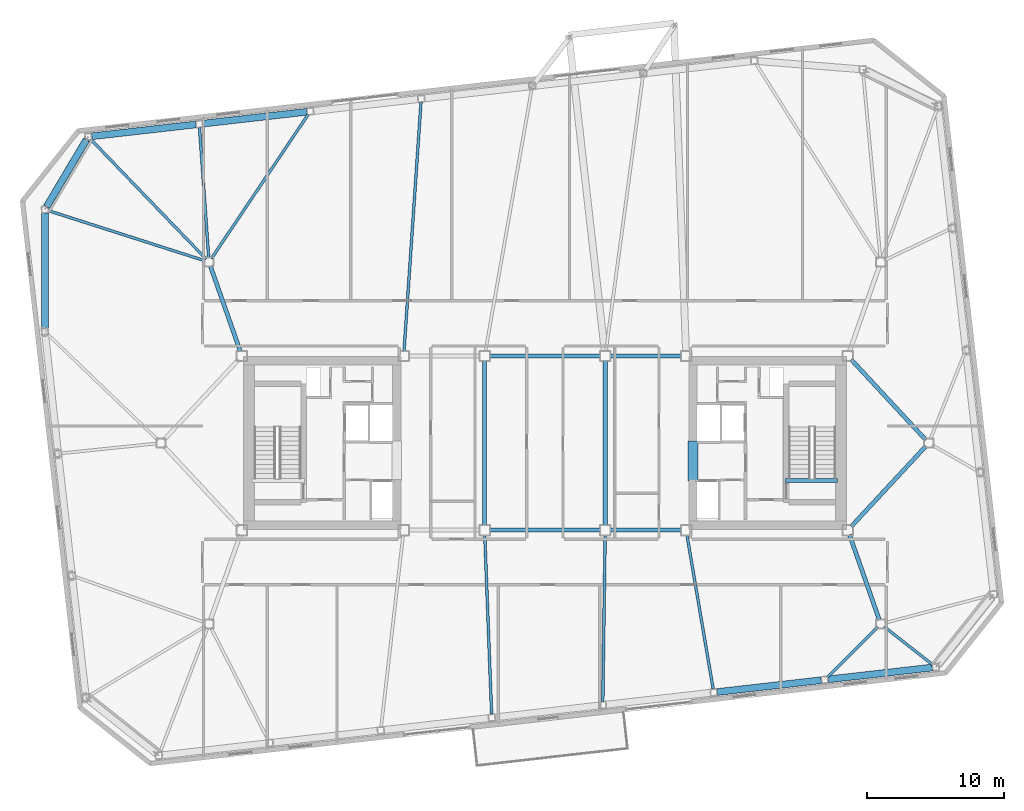
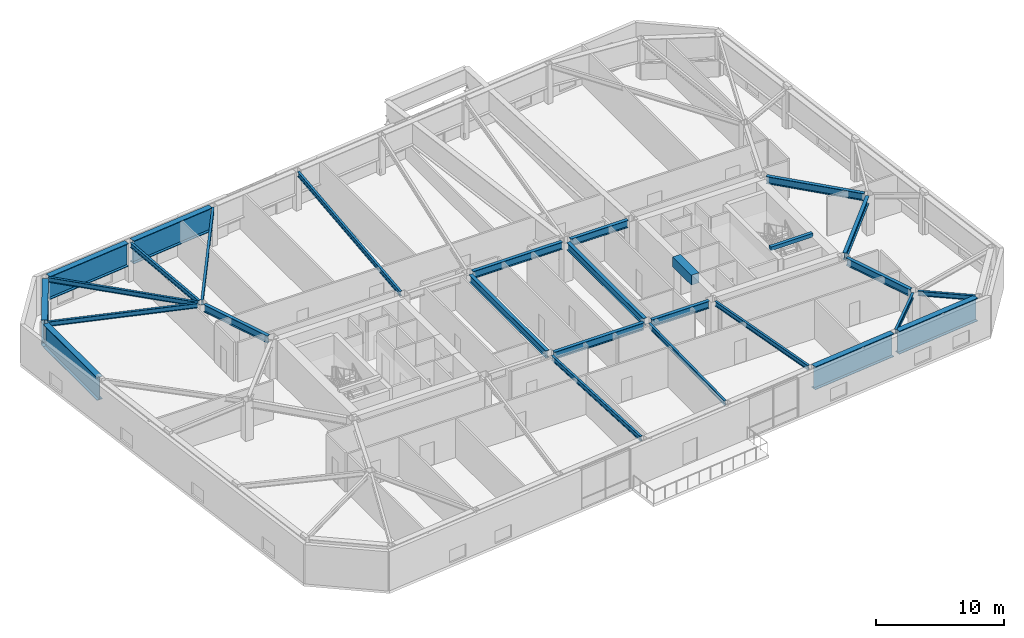
# One storey, part 7 of 20: 28 beams, 1 member.
"""IFC4 building model written with IfcOpenShell, lengths in metres."""

from ifc_helpers import new_model, si_unit, direction, frame, origin, origin_2d, place, context, subcontext, project, spatial, rectangle, hollow_circle, i_section, extrude, material, material_profile, profile_set, type_object, element, save


model = new_model("IFC4")

# Units and contexts
model_context = context("Model", 3, precision=1e-05, world=origin(), true_north=direction((0.0, 1.0)))
body_context = subcontext(model_context, "Body", "Model", "MODEL_VIEW")
ifc_project = project(units=[si_unit("LENGTHUNIT", "METRE"), si_unit("AREAUNIT", "SQUARE_METRE"), si_unit("VOLUMEUNIT", "CUBIC_METRE"), si_unit("PLANEANGLEUNIT", "RADIAN"), si_unit("MASSUNIT", "GRAM", prefix="KILO")], contexts=[model_context])

# Site, building, storey
site_placement = place(None, origin())
site = spatial("IfcSite", under=ifc_project, at=site_placement, CompositionType="ELEMENT")
building_placement = place(site_placement, origin())
building = spatial("IfcBuilding", under=site, at=building_placement, Name="Tavrogorsk Clinical Tower", CompositionType="ELEMENT")
storey_placement = place(building_placement, frame((0.0, 0.0, 234.199951171875)))
storey = spatial("IfcBuildingStorey", under=building, at=storey_placement, Name="L54", CompositionType="ELEMENT", Elevation=234.199951171875)

# Beam
ifc_material_1 = material(Name="Concrete B80", Category="concrete")
ifc_material_profile_1 = material_profile(ifc_material_1, rectangle(XDim=0.699951171875, YDim=0.949951171875, at=origin_2d()), Name="RC-CB-700x950")
ifc_profile_set_1 = profile_set([ifc_material_profile_1], Name="Concrete B80")
beam_type_1 = type_object("IfcBeamType", Name="CouplingBeam_RC700x950", PredefinedType="LINTEL", material=ifc_profile_set_1)
beam_1_placement = place(storey_placement, frame((10.800048828125, -2.75, 3.26513671875), z_axis=(0.0, 1.0, 0.0), x_axis=(-1.0, 0.0, 0.0)))
element("IfcBeam", 1, at=beam_1_placement, inside=storey, type_object=beam_type_1, Name="L54 Core East Coupling Beam", PredefinedType="LINTEL", context=body_context, shape_type="SweptSolid", body=[
    extrude(rectangle(XDim=0.699951171875, YDim=0.949951171875, at=origin_2d()), origin(), (0.0, 0.0, 1.0), 2.89990234375),
])

# Member
ifc_material_2 = material(Name="Structural steel S440", Category="steel")
ifc_material_profile_2 = material_profile(ifc_material_2, hollow_circle(Radius=0.25390625, WallThickness=0.02001953125, at=origin_2d()), Name="CHS-508x20")
ifc_profile_set_2 = profile_set([ifc_material_profile_2], Name="Structural steel S440")
member_type = type_object("IfcMemberType", Name="ExoBrace_CHS508", PredefinedType="BRACE", material=ifc_profile_set_2)
member_placement = place(storey_placement, frame((-33.438232421875, 22.127685546875, 0.348876953125), z_axis=(-0.502156936652, -0.843870359768, 0.1890006002), x_axis=(0.859358604134, -0.511373434489, 0.0)))
element("IfcMember", 2, at=member_placement, inside=storey, type_object=member_type, Name="L54 Corner Exoskeleton Brace N8-W1", PredefinedType="BRACE", context=body_context, shape_type="SweptSolid", body=[
    extrude(hollow_circle(Radius=0.25390625, WallThickness=0.02001953125, at=origin_2d()), origin(), (0.0, 0.0, 1.0), 5.779296875),
])

# Beams
ifc_material_3 = material(Name="Structural steel S355", Category="steel")
ifc_material_profile_3 = material_profile(ifc_material_3, i_section(OverallWidth=0.199951171875, OverallDepth=0.449951171875, WebThickness=0.011474609375, FlangeThickness=0.01806640625, at=origin_2d()), Name="B-450x200x11.5x18")
ifc_profile_set_3 = profile_set([ifc_material_profile_3], Name="Structural steel S355")
beam_type_2 = type_object("IfcBeamType", Name="FloorBeam_B450", PredefinedType="BEAM", material=ifc_profile_set_3)
beam_2_placement = place(storey_placement, frame((-4.38623046875, -6.709716796875, 3.51513671875), z_axis=(0.038253158264, -0.999268080088, 0.0), x_axis=(0.999268080088, 0.038253158264, 0.0)))
element("IfcBeam", 3, at=beam_2_placement, inside=storey, type_object=beam_type_2, Name="L54 Radial Floor Beam S4", PredefinedType="BEAM", context=body_context, shape_type="SweptSolid", body=[
    extrude(i_section(OverallWidth=0.199951171875, OverallDepth=0.449951171875, WebThickness=0.011474609375, FlangeThickness=0.01806640625, at=origin_2d()), origin(), (0.0, 0.0, 1.0), 13.0771484375),
])
beam_3_placement = place(storey_placement, frame((4.39501953125, -6.7099609375, 3.51513671875), z_axis=(-0.014110566079, -0.999900441006, 0.0), x_axis=(0.999900441006, -0.014110566079, 0.0)))
element("IfcBeam", 4, at=beam_3_placement, inside=storey, type_object=beam_type_2, Name="L54 Radial Floor Beam S5", PredefinedType="BEAM", context=body_context, shape_type="SweptSolid", body=[
    extrude(i_section(OverallWidth=0.199951171875, OverallDepth=0.449951171875, WebThickness=0.011474609375, FlangeThickness=0.01806640625, at=origin_2d()), origin(), (0.0, 0.0, 1.0), 12.14599609375),
])
beam_4_placement = place(storey_placement, frame((10.3603515625, -6.704833984375, 3.51513671875), z_axis=(0.167876447446, -0.98580804338, 0.0), x_axis=(0.98580804338, 0.167876447446, 0.0)))
element("IfcBeam", 5, at=beam_4_placement, inside=storey, type_object=beam_type_2, Name="L54 Radial Floor Beam S6", PredefinedType="BEAM", context=body_context, shape_type="SweptSolid", body=[
    extrude(i_section(OverallWidth=0.199951171875, OverallDepth=0.449951171875, WebThickness=0.011474609375, FlangeThickness=0.01806640625, at=origin_2d()), origin(), (0.0, 0.0, 1.0), 11.392822265625),
])
beam_5_placement = place(storey_placement, frame((24.2802734375, -13.418701171875, 3.51513671875), z_axis=(-0.708842234901, -0.705367057652, 0.0), x_axis=(0.705367057652, -0.708842234901, 0.0)))
element("IfcBeam", 6, at=beam_5_placement, inside=storey, type_object=beam_type_2, Name="L54 Radial Floor Beam S7", PredefinedType="BEAM", context=body_context, shape_type="SweptSolid", body=[
    extrude(i_section(OverallWidth=0.199951171875, OverallDepth=0.449951171875, WebThickness=0.011474609375, FlangeThickness=0.01806640625, at=origin_2d()), origin(), (0.0, 0.0, 1.0), 5.19873046875),
])
beam_6_placement = place(storey_placement, frame((24.743896484375, -13.391357421875, 3.51513671875), z_axis=(0.786731711527, -0.617295078611, 0.0), x_axis=(0.617295078611, 0.786731711527, 0.0)))
element("IfcBeam", 7, at=beam_6_placement, inside=storey, type_object=beam_type_2, Name="L54 Radial Floor Beam S8", PredefinedType="BEAM", context=body_context, shape_type="SweptSolid", body=[
    extrude(i_section(OverallWidth=0.199951171875, OverallDepth=0.449951171875, WebThickness=0.011474609375, FlangeThickness=0.01806640625, at=origin_2d()), origin(), (0.0, 0.0, 1.0), 4.52734375),
])
beam_7_placement = place(storey_placement, frame((-10.275390625, 6.709228515625, 3.51513671875), z_axis=(0.068054861188, 0.9976815804, 0.0), x_axis=(-0.9976815804, 0.068054861188, 0.0)))
element("IfcBeam", 8, at=beam_7_placement, inside=storey, type_object=beam_type_2, Name="L54 Radial Floor Beam N5", PredefinedType="BEAM", context=body_context, shape_type="SweptSolid", body=[
    extrude(i_section(OverallWidth=0.199951171875, OverallDepth=0.449951171875, WebThickness=0.011474609375, FlangeThickness=0.01806640625, at=origin_2d()), origin(), (0.0, 0.0, 1.0), 18.188232421875),
])
beam_8_placement = place(storey_placement, frame((-24.3271484375, 13.457275390625, 3.51513671875), z_axis=(0.557666552953, 0.830065067159, 0.0), x_axis=(-0.830065067159, 0.557666552953, 0.0)))
element("IfcBeam", 9, at=beam_8_placement, inside=storey, type_object=beam_type_2, Name="L54 Radial Floor Beam N6", PredefinedType="BEAM", context=body_context, shape_type="SweptSolid", body=[
    extrude(i_section(OverallWidth=0.199951171875, OverallDepth=0.449951171875, WebThickness=0.011474609375, FlangeThickness=0.01806640625, at=origin_2d()), origin(), (0.0, 0.0, 1.0), 12.67236328125),
])
beam_9_placement = place(storey_placement, frame((-24.52197265625, 13.50927734375, 3.51513671875), z_axis=(-0.070563956086, 0.997507257167, 0.0), x_axis=(-0.997507257167, -0.070563956086, 0.0)))
element("IfcBeam", 10, at=beam_9_placement, inside=storey, type_object=beam_type_2, Name="L54 Radial Floor Beam N7", PredefinedType="BEAM", context=body_context, shape_type="SweptSolid", body=[
    extrude(i_section(OverallWidth=0.199951171875, OverallDepth=0.449951171875, WebThickness=0.011474609375, FlangeThickness=0.01806640625, at=origin_2d()), origin(), (0.0, 0.0, 1.0), 9.52490234375),
])
beam_10_placement = place(storey_placement, frame((-24.715087890625, 13.42333984375, 3.51513671875), z_axis=(-0.69371826835, 0.720246460704, 0.0), x_axis=(-0.720246460704, -0.69371826835, 0.0)))
element("IfcBeam", 11, at=beam_10_placement, inside=storey, type_object=beam_type_2, Name="L54 Radial Floor Beam N8", PredefinedType="BEAM", context=body_context, shape_type="SweptSolid", body=[
    extrude(i_section(OverallWidth=0.199951171875, OverallDepth=0.449951171875, WebThickness=0.011474609375, FlangeThickness=0.01806640625, at=origin_2d()), origin(), (0.0, 0.0, 1.0), 12.129638671875),
])
beam_11_placement = place(storey_placement, frame((-24.795166015625, 13.29443359375, 3.51513671875), z_axis=(-0.952367912824, 0.304951403709, 0.0), x_axis=(-0.304951403709, -0.952367912824, 0.0)))
element("IfcBeam", 12, at=beam_11_placement, inside=storey, type_object=beam_type_2, Name="L54 Radial Floor Beam W1", PredefinedType="BEAM", context=body_context, shape_type="SweptSolid", body=[
    extrude(i_section(OverallWidth=0.199951171875, OverallDepth=0.449951171875, WebThickness=0.011474609375, FlangeThickness=0.01806640625, at=origin_2d()), origin(), (0.0, 0.0, 1.0), 12.000732421875),
])
ifc_material_4 = material(Name="Structural steel S390", Category="steel")
ifc_material_profile_4 = material_profile(ifc_material_4, i_section(OverallWidth=0.300048828125, OverallDepth=0.699951171875, WebThickness=0.01708984375, FlangeThickness=0.028076171875, at=origin_2d()), Name="B-700x300x17x28")
ifc_profile_set_4 = profile_set([ifc_material_profile_4], Name="Structural steel S390")
beam_type_3 = type_object("IfcBeamType", Name="PrimaryGirder_B700", PredefinedType="USERDEFINED", material=ifc_profile_set_4)
for number, where, z_axis, x_axis, name in (
    (13, (-4.0400390625, -6.35009765625, 3.39013671875), (1.0, 0.0, 0.0), (0.0, 1.0, 0.0), "L54 Primary Spine Girder MG-03"),
    (14, (-4.0400390625, 6.35009765625, 3.39013671875), (1.0, 0.0, 0.0), (0.0, 1.0, 0.0), "L54 Primary Spine Girder MG-04"),
):
    element("IfcBeam", number, at=place(storey_placement, frame(where, z_axis=z_axis, x_axis=x_axis)), inside=storey, type_object=beam_type_3, Name=name, ObjectType="GIRDER", PredefinedType="USERDEFINED", context=body_context, shape_type="SweptSolid", body=[
        extrude(i_section(OverallWidth=0.300048828125, OverallDepth=0.699951171875, WebThickness=0.01708984375, FlangeThickness=0.028076171875, at=origin_2d()), origin(), (0.0, 0.0, 1.0), 8.080078125),
    ])
for number, where, z_axis, x_axis, name in (
    (15, (4.760009765625, -6.35009765625, 3.39013671875), (1.0, 0.0, 0.0), (0.0, 1.0, 0.0), "L54 Primary Spine Girder MG-05"),
    (16, (4.760009765625, 6.35009765625, 3.39013671875), (1.0, 0.0, 0.0), (0.0, 1.0, 0.0), "L54 Primary Spine Girder MG-06"),
):
    element("IfcBeam", number, at=place(storey_placement, frame(where, z_axis=z_axis, x_axis=x_axis)), inside=storey, type_object=beam_type_3, Name=name, ObjectType="GIRDER", PredefinedType="USERDEFINED", context=body_context, shape_type="SweptSolid", body=[
        extrude(i_section(OverallWidth=0.300048828125, OverallDepth=0.699951171875, WebThickness=0.01708984375, FlangeThickness=0.028076171875, at=origin_2d()), origin(), (0.0, 0.0, 1.0), 5.179931640625),
    ])
for number, where, z_axis, x_axis, name in (
    (17, (-4.39990234375, -5.989990234375, 3.39013671875), (0.0, 1.0, 0.0), (-1.0, 0.0, 0.0), "L54 Primary Spine Girder MG-07"),
    (18, (4.39990234375, -5.989990234375, 3.39013671875), (0.0, 1.0, 0.0), (-1.0, 0.0, 0.0), "L54 Primary Spine Girder MG-08"),
):
    element("IfcBeam", number, at=place(storey_placement, frame(where, z_axis=z_axis, x_axis=x_axis)), inside=storey, type_object=beam_type_3, Name=name, ObjectType="GIRDER", PredefinedType="USERDEFINED", context=body_context, shape_type="SweptSolid", body=[
        extrude(i_section(OverallWidth=0.300048828125, OverallDepth=0.699951171875, WebThickness=0.01708984375, FlangeThickness=0.028076171875, at=origin_2d()), origin(), (0.0, 0.0, 1.0), 11.97998046875),
    ])
for number, where, z_axis, x_axis, name in (
    (19, (24.3974609375, -12.907470703125, 3.39013671875), (-0.330654121425, 0.943752007672, 0.0), (-0.943752007672, -0.330654121425, 0.0), "L54 Spine Link Girder OPG-2"),
    (20, (-24.3974609375, 12.907470703125, 3.39013671875), (0.330654121425, -0.943752007672, 0.0), (0.943752007672, 0.330654121425, 0.0), "L54 Spine Link Girder OPG-3"),
):
    element("IfcBeam", number, at=place(storey_placement, frame(where, z_axis=z_axis, x_axis=x_axis)), inside=storey, type_object=beam_type_3, Name=name, ObjectType="GIRDER", PredefinedType="USERDEFINED", context=body_context, shape_type="SweptSolid", body=[
        extrude(i_section(OverallWidth=0.300048828125, OverallDepth=0.699951171875, WebThickness=0.01708984375, FlangeThickness=0.028076171875, at=origin_2d()), origin(), (0.0, 0.0, 1.0), 6.58837890625),
    ])
for number, where, z_axis, x_axis, name in (
    (21, (27.7890625, -0.22705078125, 3.39013671875), (-0.680684060959, -0.732577101168, 0.0), (0.732577101168, -0.680684060959, 0.0), "L54 Spine Link Girder OPG-7"),
    (22, (27.7890625, 0.22705078125, 3.39013671875), (-0.680684060959, 0.732577101168, 0.0), (-0.732577101168, -0.680684060959, 0.0), "L54 Spine Link Girder OPG-8"),
):
    element("IfcBeam", number, at=place(storey_placement, frame(where, z_axis=z_axis, x_axis=x_axis)), inside=storey, type_object=beam_type_3, Name=name, ObjectType="GIRDER", PredefinedType="USERDEFINED", context=body_context, shape_type="SweptSolid", body=[
        extrude(i_section(OverallWidth=0.300048828125, OverallDepth=0.699951171875, WebThickness=0.01708984375, FlangeThickness=0.028076171875, at=origin_2d()), origin(), (0.0, 0.0, 1.0), 7.998046875),
    ])
ifc_material_5 = material(Name="Concrete B60", Category="concrete")
ifc_material_profile_5 = material_profile(ifc_material_5, rectangle(XDim=0.300048828125, YDim=0.35009765625, at=origin_2d()), Name="RC-SHB-300x350")
ifc_profile_set_5 = profile_set([ifc_material_profile_5], Name="Concrete B60")
beam_type_4 = type_object("IfcBeamType", Name="StairHeaderBeam_RC300x350", PredefinedType="BEAM", material=ifc_profile_set_5)
beam_12_placement = place(storey_placement, frame((17.550048828125, -2.719970703125, 3.824951171875), z_axis=(1.0, 0.0, 0.0), x_axis=(0.0, 1.0, 0.0)))
element("IfcBeam", 23, at=beam_12_placement, inside=storey, type_object=beam_type_4, Name="L55 ST-E Landing Header Beam", PredefinedType="BEAM", context=body_context, shape_type="SweptSolid", body=[
    extrude(rectangle(XDim=0.300048828125, YDim=0.35009765625, at=origin_2d()), origin(), (0.0, 0.0, 1.0), 3.800048828125),
])
ifc_material_6 = material(Name="Structural steel S440", Category="steel")
ifc_material_profile_6 = material_profile(ifc_material_6, i_section(OverallWidth=0.5, OverallDepth=2.199951171875, WebThickness=0.035888671875, FlangeThickness=0.054931640625, at=origin_2d()), Name="DK-2200x500x36x55")
ifc_profile_set_6 = profile_set([ifc_material_profile_6], Name="Structural steel S440")
beam_type_5 = type_object("IfcBeamType", Name="TransferGirder_DK2200", PredefinedType="USERDEFINED", material=ifc_profile_set_6)
beam_13_placement = place(storey_placement, frame((12.57275390625, -18.1611328125, 2.64013671875), z_axis=(0.993571689921, 0.113204668576, 0.0), x_axis=(-0.113204668576, 0.993571689921, 0.0)))
element("IfcBeam", 24, at=beam_13_placement, inside=storey, type_object=beam_type_5, Name="L54 Perimeter Spandrel S6-S7", ObjectType="GIRDER", PredefinedType="USERDEFINED", context=body_context, shape_type="SweptSolid", body=[
    extrude(i_section(OverallWidth=0.5, OverallDepth=2.199951171875, WebThickness=0.035888671875, FlangeThickness=0.054931640625, at=origin_2d()), origin(), (0.0, 0.0, 1.0), 7.63232421875),
])
for number, where, z_axis, x_axis, name in (
    (25, (20.668701171875, -17.238525390625, 2.64013671875), (0.993572099834, 0.113201070804, 0.0), (-0.113201070804, 0.993572099834, 0.0), "L54 Perimeter Spandrel S7-S8"),
    (26, (-17.37255859375, 24.1611328125, 2.64013671875), (-0.993572099834, -0.113201070804, 0.0), (0.113201070804, -0.993572099834, 0.0), "L54 Perimeter Spandrel N6-N7"),
    (27, (-25.46875, 23.238525390625, 2.64013671875), (-0.993572099834, -0.113201070804, 0.0), (0.113201070804, -0.993572099834, 0.0), "L54 Perimeter Spandrel N7-N8"),
):
    element("IfcBeam", number, at=place(storey_placement, frame(where, z_axis=z_axis, x_axis=x_axis)), inside=storey, type_object=beam_type_5, Name=name, ObjectType="GIRDER", PredefinedType="USERDEFINED", context=body_context, shape_type="SweptSolid", body=[
        extrude(i_section(OverallWidth=0.5, OverallDepth=2.199951171875, WebThickness=0.035888671875, FlangeThickness=0.054931640625, at=origin_2d()), origin(), (0.0, 0.0, 1.0), 7.632568359375),
    ])
beam_14_placement = place(storey_placement, frame((-33.4404296875, 22.123779296875, 2.64013671875), z_axis=(-0.51140659222, -0.859338872293, 0.0), x_axis=(0.859338872293, -0.51140659222, 0.0)))
element("IfcBeam", 28, at=beam_14_placement, inside=storey, type_object=beam_type_5, Name="L54 Perimeter Spandrel N8-W1", ObjectType="GIRDER", PredefinedType="USERDEFINED", context=body_context, shape_type="SweptSolid", body=[
    extrude(i_section(OverallWidth=0.5, OverallDepth=2.199951171875, WebThickness=0.035888671875, FlangeThickness=0.054931640625, at=origin_2d()), origin(), (0.0, 0.0, 1.0), 5.666259765625),
])
beam_15_placement = place(storey_placement, frame((-36.469970703125, 16.77490234375, 2.64013671875), z_axis=(0.0, -1.0, 0.0), x_axis=(1.0, 0.0, 0.0)))
element("IfcBeam", 29, at=beam_15_placement, inside=storey, type_object=beam_type_5, Name="L54 Perimeter Spandrel W1-W2", ObjectType="GIRDER", PredefinedType="USERDEFINED", context=body_context, shape_type="SweptSolid", body=[
    extrude(i_section(OverallWidth=0.5, OverallDepth=2.199951171875, WebThickness=0.035888671875, FlangeThickness=0.054931640625, at=origin_2d()), origin(), (0.0, 0.0, 1.0), 8.386474609375),
])

save(model, "model.ifc")
